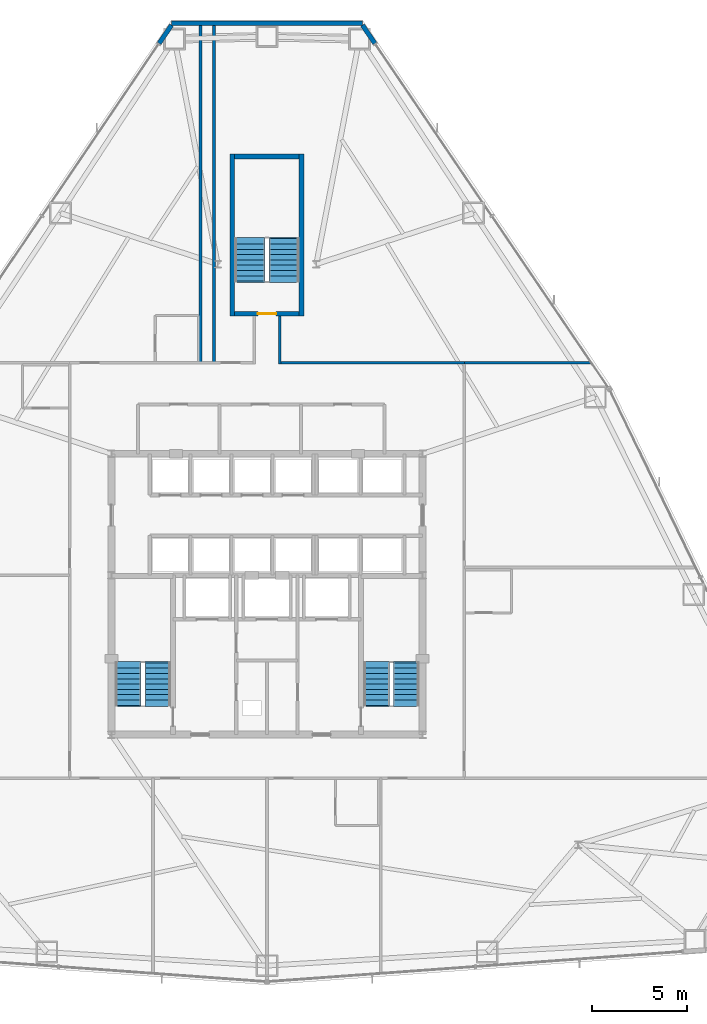
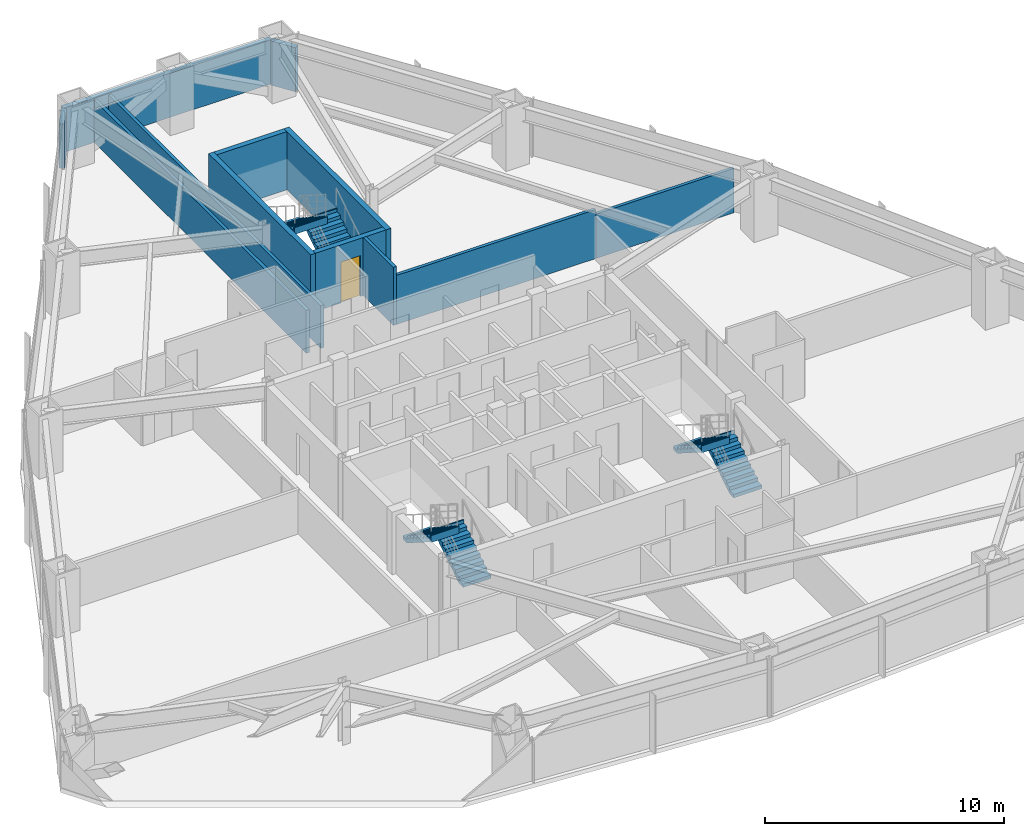
# One storey, part 11 of 12: 12 walls, 6 stair flights, 1 door, 1 opening, 3 elements without a shape of their own.
"""IFC4 building model written with IfcOpenShell, lengths in metres."""

from ifc_helpers import new_model, si_unit, direction, frame, frame_2d, origin, place, context, subcontext, project, spatial, polyline, rectangle, outline, extrude, material, layer, layer_set, type_object, element, fill, aggregate, save


model = new_model("IFC4")

# Units and contexts
model_context = context("Model", 3, precision=1e-05, world=origin(), true_north=direction((0.0, 1.0)))
body_context = subcontext(model_context, "Body", "Model", "MODEL_VIEW")
ifc_project = project(units=[si_unit("LENGTHUNIT", "METRE"), si_unit("AREAUNIT", "SQUARE_METRE"), si_unit("VOLUMEUNIT", "CUBIC_METRE"), si_unit("PLANEANGLEUNIT", "RADIAN"), si_unit("MASSUNIT", "GRAM", prefix="KILO")], contexts=[model_context])

# Site, building, storey
site_placement = place(None, origin())
site = spatial("IfcSite", under=ifc_project, at=site_placement, CompositionType="ELEMENT")
building_placement = place(site_placement, origin())
building = spatial("IfcBuilding", under=site, at=building_placement, Name="Varakhsha Concourse Tower", CompositionType="ELEMENT")
storey_placement = place(building_placement, frame((0.0, 0.0, 59.199951171875)))
storey = spatial("IfcBuildingStorey", under=building, at=storey_placement, Name="L16", CompositionType="ELEMENT", Elevation=59.199951171875)

# Walls
ifc_material_1 = material(Name="Concrete fc 45 MPa", Category="concrete")
ifc_layer_1 = layer(ifc_material_1, 0.239990234375, Name="WL-EXT-CRN-240")
ifc_layer_set_1 = layer_set([ifc_layer_1], Name="Concrete fc 45 MPa")
wall_type_1 = type_object("IfcWallType", Name="WL-EXT-CRN-240", PredefinedType="SHEAR", material=ifc_layer_set_1)
wall_1_placement = place(storey_placement, frame((34.95703125, 53.905517578125, 0.0), z_axis=(0.0, 0.0, 1.0), x_axis=(1.0, 0.0, 0.0)))
element("IfcWall", 1, at=wall_1_placement, inside=storey, type_object=wall_type_1, Name="L16 Chamfer Wind-Corner Insulated Wall F1", PredefinedType="SHEAR", context=body_context, shape_type="SweptSolid", body=[
    extrude(rectangle(XDim=10.0859375, YDim=0.239990234375, at=frame_2d((5.04296875, 0.0))), origin(), (0.0, 0.0, 1.0), 2.262939453125),
])
for number, where, z_axis, x_axis, name in (
    (2, (34.966064453125, 53.793701171875, 0.0), (0.0, 0.0, 1.0), (-0.561321669768, -0.827597718127, 0.0), "L16 Wind-Corner Shoulder Wall F2"),
    (3, (45.6865234375, 52.83154296875, 0.0), (0.0, 0.0, 1.0), (-0.561321669768, 0.827597718127, 0.0), "L16 Wind-Corner Shoulder Wall F9"),
):
    element("IfcWall", number, at=place(storey_placement, frame(where, z_axis=z_axis, x_axis=x_axis)), inside=storey, type_object=wall_type_1, Name=name, PredefinedType="SHEAR", context=body_context, shape_type="SweptSolid", body=[
        extrude(rectangle(XDim=1.16259765625, YDim=0.239990234375, at=frame_2d((0.581298828125, 0.0))), origin(), (0.0, 0.0, 1.0), 2.262939453125),
    ])
ifc_material_2 = material(Name="Fire-Rated Type X Gypsum Partition Assembly", Category="gypsum")
ifc_layer_2 = layer(ifc_material_2, 0.14990234375, Name="WL-PART-150")
ifc_layer_set_2 = layer_set([ifc_layer_2], Name="Fire-Rated Type X Gypsum Partition Assembly")
wall_type_2 = type_object("IfcWallType", Name="WL-PART-150", PredefinedType="PARTITIONING", material=ifc_layer_set_2)
wall_2_placement = place(storey_placement, frame((40.75, 36.0, 0.0), z_axis=(0.0, 0.0, 1.0), x_axis=(1.0, 0.0, 0.0)))
element("IfcWall", 4, at=wall_2_placement, inside=storey, type_object=wall_type_2, Name="L16 Wall CRW-N-L16-B", PredefinedType="PARTITIONING", context=body_context, shape_type="SweptSolid", body=[
    extrude(rectangle(XDim=9.64990234375, YDim=0.14990234375, at=frame_2d((4.824951171875, 0.0))), origin(), (0.0, 0.0, 1.0), 2.512939453125),
])
wall_3_placement = place(storey_placement, frame((50.39990234375, 36.0, 0.0), z_axis=(0.0, 0.0, 1.0), x_axis=(1.0, 0.0, 0.0)))
element("IfcWall", 5, at=wall_3_placement, inside=storey, type_object=wall_type_2, Name="L16 Wall HDIV-EBN-L16", PredefinedType="PARTITIONING", context=body_context, shape_type="SweptSolid", body=[
    extrude(rectangle(XDim=6.69873046875, YDim=0.14990234375, at=frame_2d((3.349365234375, 0.0))), origin(), (0.0, 0.0, 1.0), 2.26806640625),
])
for number, where, z_axis, x_axis, name in (
    (6, (36.5, 36.0, 0.0), (0.0, 0.0, 1.0), (0.0, 1.0, 0.0), "L16 Wall HDIV-N1-L16"),
    (7, (37.199951171875, 36.0, 0.0), (0.0, 0.0, 1.0), (0.0, 1.0, 0.0), "L16 Wall HDIV-N2-L16"),
):
    element("IfcWall", number, at=place(storey_placement, frame(where, z_axis=z_axis, x_axis=x_axis)), inside=storey, type_object=wall_type_2, Name=name, PredefinedType="PARTITIONING", context=body_context, shape_type="SweptSolid", body=[
        extrude(rectangle(XDim=17.900390625, YDim=0.14990234375, at=frame_2d((8.9501953125, 0.0))), origin(), (0.0, 0.0, 1.0), 2.191162109375),
    ])
wall_4_placement = place(storey_placement, frame((40.675048828125, 35.925048828125, 0.0), z_axis=(0.0, 0.0, 1.0), x_axis=(0.0, 1.0, 0.0)))
element("IfcWall", 8, at=wall_4_placement, inside=storey, type_object=wall_type_2, Name="L16 Wall STUB-E-L16", PredefinedType="PARTITIONING", context=body_context, shape_type="SweptSolid", body=[
    extrude(rectangle(XDim=2.52490234375, YDim=0.14990234375, at=frame_2d((1.262451171875, 0.0))), origin(), (0.0, 0.0, 1.0), 2.97998046875),
])
ifc_layer_3 = layer(ifc_material_1, 0.25, Name="WL-STAIR-250")
ifc_layer_set_3 = layer_set([ifc_layer_3], Name="Concrete fc 45 MPa")
wall_type_3 = type_object("IfcWallType", Name="WL-STAIR-250", PredefinedType="SHEAR", material=ifc_layer_set_3)
for number, where, z_axis, x_axis, name in (
    (9, (38.175048828125, 38.449951171875, 0.0), (0.0, 0.0, 1.0), (0.0, 1.0, 0.0), "L16 Wall SWALL-ST5-W-L16"),
    (10, (41.824951171875, 38.449951171875, 0.0), (0.0, 0.0, 1.0), (0.0, 1.0, 0.0), "L16 Wall SWALL-ST5-E-L16"),
):
    element("IfcWall", number, at=place(storey_placement, frame(where, z_axis=z_axis, x_axis=x_axis)), inside=storey, type_object=wall_type_3, Name=name, PredefinedType="SHEAR", context=body_context, shape_type="SweptSolid", body=[
        extrude(rectangle(XDim=8.550048828125, YDim=0.25, at=frame_2d((4.27490234375, 0.0))), origin(), (0.0, 0.0, 1.0), 2.97998046875),
    ])

# Wall, opening, door
wall_5_placement = place(storey_placement, frame((38.300048828125, 38.574951171875, 0.0), z_axis=(0.0, 0.0, 1.0), x_axis=(1.0, 0.0, 0.0)))
wall_5 = element("IfcWall", 11, at=wall_5_placement, inside=storey, type_object=wall_type_3, Name="L16 Wall SWALL-ST5-S-L16", PredefinedType="SHEAR", context=body_context, shape_type="SweptSolid", body=[
    extrude(rectangle(XDim=3.39990234375, YDim=0.25, at=frame_2d((1.699951171875, 0.0))), origin(), (0.0, 0.0, 1.0), 2.97998046875),
])
opening_placement = place(wall_5_placement, frame((1.22509765625, 0.0, 0.0)))
opening = element("IfcOpeningElement", 12, at=opening_placement, cuts=wall_5, Name="Opening DF-03", PredefinedType="OPENING", context=body_context, shape_type="SweptSolid", body=[
    extrude(rectangle(XDim=0.949951171875, YDim=2.10009765625, at=frame_2d((0.47509765625, 1.050048828125))), frame((0.0, 0.135009765625, 0.0), z_axis=(0.0, -1.0, 0.0), x_axis=(1.0, 0.0, 0.0)), (0.0, 0.0, 1.0), 0.27001953125),
])
ifc_material_3 = material(Name="Hollow Galvanised Steel Fire Door Assembly", Category="steel")
door_type = type_object("IfcDoorType", Name="DR-FD90-950", OperationType="NOTDEFINED", PredefinedType="DOOR", material=ifc_material_3)
door_placement = place(opening_placement, origin())
door = element("IfcDoor", 13, at=door_placement, inside=storey, type_object=door_type, Name="L16 Stair ST5 Fire Door", OperationType="SINGLE_SWING_RIGHT", OverallHeight=2.10009765625, OverallWidth=0.949951171875, PredefinedType="DOOR", context=body_context, shape_type="SweptSolid", body=[
    extrude(rectangle(XDim=0.949951171875, YDim=2.10009765625, at=frame_2d((0.47509765625, 1.050048828125))), frame((0.0, 0.02490234375, 0.0), z_axis=(0.0, -1.0, 0.0), x_axis=(1.0, 0.0, 0.0)), (0.0, 0.0, 1.0), 0.050048828125),
])
fill(opening, door)

# Wall
wall_6_placement = place(storey_placement, frame((38.300048828125, 46.875, 0.0), z_axis=(0.0, 0.0, 1.0), x_axis=(1.0, 0.0, 0.0)))
element("IfcWall", 14, at=wall_6_placement, inside=storey, type_object=wall_type_3, Name="L16 Wall SWALL-ST5-N-L16", PredefinedType="SHEAR", context=body_context, shape_type="SweptSolid", body=[
    extrude(rectangle(XDim=3.39990234375, YDim=0.25, at=frame_2d((1.699951171875, 0.0))), origin(), (0.0, 0.0, 1.0), 2.97998046875),
])

# Stair, stair flights
stair_type_1 = type_object("IfcStairType", Name="ST-DOGLEG-1360", PredefinedType="HALF_TURN_STAIR", material=ifc_material_1)
stair_1_placement = place(storey_placement, origin())
stair_1 = element("IfcStair", 15, at=stair_1_placement, inside=storey, type_object=stair_type_1, Name="L16 Protected Exit Stair ST1", PredefinedType="HALF_TURN_STAIR")
stair_flight_type_1 = type_object("IfcStairFlightType", Name="STF-1360-R1778", PredefinedType="STRAIGHT", material=ifc_material_1)
stair_flight_1_placement = place(storey_placement, frame((34.239990234375, 17.93994140625, 0.0), z_axis=(0.0, 0.0, 1.0), x_axis=(0.0, 1.0, 0.0)))
stair_flight_1 = element("IfcStairFlight", 16, at=stair_flight_1_placement, type_object=stair_flight_type_1, Name="ST1 flight 1", NumberOfRisers=9, NumberOfTreads=8, PredefinedType="STRAIGHT", RiserHeight=0.177777778, TreadLength=0.28, context=body_context, shape_type="SweptSolid", body=[
    extrude(outline(polyline([(-0.06005859375, 0.0), (-0.06005859375, 0.177734375), (0.0, 0.177734375), (0.280029296875, 0.177734375), (0.280029296875, 0.35546875), (0.56005859375, 0.35546875), (0.56005859375, 0.533447265625), (0.840087890625, 0.533447265625), (0.840087890625, 0.711181640625), (1.1201171875, 0.711181640625), (1.1201171875, 0.888916015625), (1.39990234375, 0.888916015625), (1.39990234375, 1.066650390625), (1.679931640625, 1.066650390625), (1.679931640625, 1.244384765625), (1.9599609375, 1.244384765625), (1.9599609375, 1.422119140625), (2.239990234375, 1.422119140625), (2.239990234375, 1.60009765625), (2.300048828125, 1.60009765625), (2.300048828125, 1.24462890625), (2.239990234375, 1.24462890625), (0.27978515625, 0.0), (-0.06005859375, 0.0)])), frame((0.0, 0.68017578125, 0.0), z_axis=(0.0, -1.0, 0.0), x_axis=(1.0, 0.0, 0.0)), (0.0, 0.0, 1.0), 1.360107421875),
])
stair_flight_2_placement = place(storey_placement, frame((32.679931640625, 20.179931640625, 1.60009765625), z_axis=(0.0, 0.0, 1.0), x_axis=(0.0, -1.0, 0.0)))
stair_flight_2 = element("IfcStairFlight", 17, at=stair_flight_2_placement, type_object=stair_flight_type_1, Name="ST1 flight 2", NumberOfRisers=9, NumberOfTreads=8, PredefinedType="STRAIGHT", RiserHeight=0.177777778, TreadLength=0.28, context=body_context, shape_type="SweptSolid", body=[
    extrude(outline(polyline([(-0.06005859375, 0.0), (-0.06005859375, 0.177734375), (0.0, 0.177734375), (0.280029296875, 0.177734375), (0.280029296875, 0.35546875), (0.56005859375, 0.35546875), (0.56005859375, 0.533447265625), (0.840087890625, 0.533447265625), (0.840087890625, 0.711181640625), (1.1201171875, 0.711181640625), (1.1201171875, 0.888916015625), (1.39990234375, 0.888916015625), (1.39990234375, 1.066650390625), (1.679931640625, 1.066650390625), (1.679931640625, 1.244384765625), (1.9599609375, 1.244384765625), (1.9599609375, 1.422119140625), (2.239990234375, 1.422119140625), (2.239990234375, 1.60009765625), (2.300048828125, 1.60009765625), (2.300048828125, 1.24462890625), (2.239990234375, 1.24462890625), (0.27978515625, 0.0), (-0.06005859375, 0.0)])), frame((0.0, 0.68017578125, 0.0), z_axis=(0.0, -1.0, 0.0), x_axis=(1.0, 0.0, 0.0)), (0.0, 0.0, 1.0), 1.360107421875),
])
aggregate(stair_1, [stair_flight_1, stair_flight_2])

stair_2_placement = place(storey_placement, origin())
stair_2 = element("IfcStair", 18, at=stair_2_placement, inside=storey, type_object=stair_type_1, Name="L16 Protected Exit Stair ST2", PredefinedType="HALF_TURN_STAIR")
stair_flight_3_placement = place(storey_placement, frame((47.340087890625, 17.93994140625, 0.0), z_axis=(0.0, 0.0, 1.0), x_axis=(0.0, 1.0, 0.0)))
stair_flight_3 = element("IfcStairFlight", 19, at=stair_flight_3_placement, type_object=stair_flight_type_1, Name="ST2 flight 1", NumberOfRisers=9, NumberOfTreads=8, PredefinedType="STRAIGHT", RiserHeight=0.177777778, TreadLength=0.28, context=body_context, shape_type="SweptSolid", body=[
    extrude(outline(polyline([(-0.06005859375, 0.0), (-0.06005859375, 0.177734375), (0.0, 0.177734375), (0.280029296875, 0.177734375), (0.280029296875, 0.35546875), (0.56005859375, 0.35546875), (0.56005859375, 0.533447265625), (0.840087890625, 0.533447265625), (0.840087890625, 0.711181640625), (1.1201171875, 0.711181640625), (1.1201171875, 0.888916015625), (1.39990234375, 0.888916015625), (1.39990234375, 1.066650390625), (1.679931640625, 1.066650390625), (1.679931640625, 1.244384765625), (1.9599609375, 1.244384765625), (1.9599609375, 1.422119140625), (2.239990234375, 1.422119140625), (2.239990234375, 1.60009765625), (2.300048828125, 1.60009765625), (2.300048828125, 1.24462890625), (2.239990234375, 1.24462890625), (0.27978515625, 0.0), (-0.06005859375, 0.0)])), frame((0.0, 0.68017578125, 0.0), z_axis=(0.0, -1.0, 0.0), x_axis=(1.0, 0.0, 0.0)), (0.0, 0.0, 1.0), 1.360107421875),
])
stair_flight_4_placement = place(storey_placement, frame((45.780029296875, 20.179931640625, 1.60009765625), z_axis=(0.0, 0.0, 1.0), x_axis=(0.0, -1.0, 0.0)))
stair_flight_4 = element("IfcStairFlight", 20, at=stair_flight_4_placement, type_object=stair_flight_type_1, Name="ST2 flight 2", NumberOfRisers=9, NumberOfTreads=8, PredefinedType="STRAIGHT", RiserHeight=0.177777778, TreadLength=0.28, context=body_context, shape_type="SweptSolid", body=[
    extrude(outline(polyline([(-0.06005859375, 0.0), (-0.06005859375, 0.177734375), (0.0, 0.177734375), (0.280029296875, 0.177734375), (0.280029296875, 0.35546875), (0.56005859375, 0.35546875), (0.56005859375, 0.533447265625), (0.840087890625, 0.533447265625), (0.840087890625, 0.711181640625), (1.1201171875, 0.711181640625), (1.1201171875, 0.888916015625), (1.39990234375, 0.888916015625), (1.39990234375, 1.066650390625), (1.679931640625, 1.066650390625), (1.679931640625, 1.244384765625), (1.9599609375, 1.244384765625), (1.9599609375, 1.422119140625), (2.239990234375, 1.422119140625), (2.239990234375, 1.60009765625), (2.300048828125, 1.60009765625), (2.300048828125, 1.24462890625), (2.239990234375, 1.24462890625), (0.27978515625, 0.0), (-0.06005859375, 0.0)])), frame((0.0, 0.68017578125, 0.0), z_axis=(0.0, -1.0, 0.0), x_axis=(1.0, 0.0, 0.0)), (0.0, 0.0, 1.0), 1.360107421875),
])
aggregate(stair_2, [stair_flight_3, stair_flight_4])

stair_type_2 = type_object("IfcStairType", Name="ST-DOGLEG-1600", PredefinedType="HALF_TURN_STAIR", material=ifc_material_1)
stair_3_placement = place(storey_placement, origin())
stair_3 = element("IfcStair", 21, at=stair_3_placement, inside=storey, type_object=stair_type_2, Name="L16 Protected Exit Stair ST5", PredefinedType="HALF_TURN_STAIR")
stair_flight_type_2 = type_object("IfcStairFlightType", Name="STF-1600-R1778", PredefinedType="STRAIGHT", material=ifc_material_1)
stair_flight_5_placement = place(storey_placement, frame((40.89990234375, 40.300048828125, 0.0), z_axis=(0.0, 0.0, 1.0), x_axis=(0.0, 1.0, 0.0)))
stair_flight_5 = element("IfcStairFlight", 22, at=stair_flight_5_placement, type_object=stair_flight_type_2, Name="ST5 flight 1", NumberOfRisers=9, NumberOfTreads=8, PredefinedType="STRAIGHT", RiserHeight=0.177777778, TreadLength=0.28, context=body_context, shape_type="SweptSolid", body=[
    extrude(outline(polyline([(-0.06005859375, 0.0), (-0.06005859375, 0.177734375), (0.0, 0.177734375), (0.280029296875, 0.177734375), (0.280029296875, 0.35546875), (0.56005859375, 0.35546875), (0.56005859375, 0.533447265625), (0.840087890625, 0.533447265625), (0.840087890625, 0.711181640625), (1.1201171875, 0.711181640625), (1.1201171875, 0.888916015625), (1.39990234375, 0.888916015625), (1.39990234375, 1.066650390625), (1.679931640625, 1.066650390625), (1.679931640625, 1.244384765625), (1.9599609375, 1.244384765625), (1.9599609375, 1.422119140625), (2.239990234375, 1.422119140625), (2.239990234375, 1.60009765625), (2.300048828125, 1.60009765625), (2.300048828125, 1.24462890625), (2.239990234375, 1.24462890625), (0.27978515625, 0.0), (-0.06005859375, 0.0)])), frame((0.0, 0.800048828125, 0.0), z_axis=(0.0, -1.0, 0.0), x_axis=(1.0, 0.0, 0.0)), (0.0, 0.0, 1.0), 1.60009765625),
])
stair_flight_6_placement = place(storey_placement, frame((39.10009765625, 42.5400390625, 1.60009765625), z_axis=(0.0, 0.0, 1.0), x_axis=(0.0, -1.0, 0.0)))
stair_flight_6 = element("IfcStairFlight", 23, at=stair_flight_6_placement, type_object=stair_flight_type_2, Name="ST5 flight 2", NumberOfRisers=9, NumberOfTreads=8, PredefinedType="STRAIGHT", RiserHeight=0.177777778, TreadLength=0.28, context=body_context, shape_type="SweptSolid", body=[
    extrude(outline(polyline([(-0.06005859375, 0.0), (-0.06005859375, 0.177734375), (0.0, 0.177734375), (0.280029296875, 0.177734375), (0.280029296875, 0.35546875), (0.56005859375, 0.35546875), (0.56005859375, 0.533447265625), (0.840087890625, 0.533447265625), (0.840087890625, 0.711181640625), (1.1201171875, 0.711181640625), (1.1201171875, 0.888916015625), (1.39990234375, 0.888916015625), (1.39990234375, 1.066650390625), (1.679931640625, 1.066650390625), (1.679931640625, 1.244384765625), (1.9599609375, 1.244384765625), (1.9599609375, 1.422119140625), (2.239990234375, 1.422119140625), (2.239990234375, 1.60009765625), (2.300048828125, 1.60009765625), (2.300048828125, 1.24462890625), (2.239990234375, 1.24462890625), (0.27978515625, 0.0), (-0.06005859375, 0.0)])), frame((0.0, 0.800048828125, 0.0), z_axis=(0.0, -1.0, 0.0), x_axis=(1.0, 0.0, 0.0)), (0.0, 0.0, 1.0), 1.60009765625),
])
aggregate(stair_3, [stair_flight_5, stair_flight_6])

save(model, "model.ifc")
